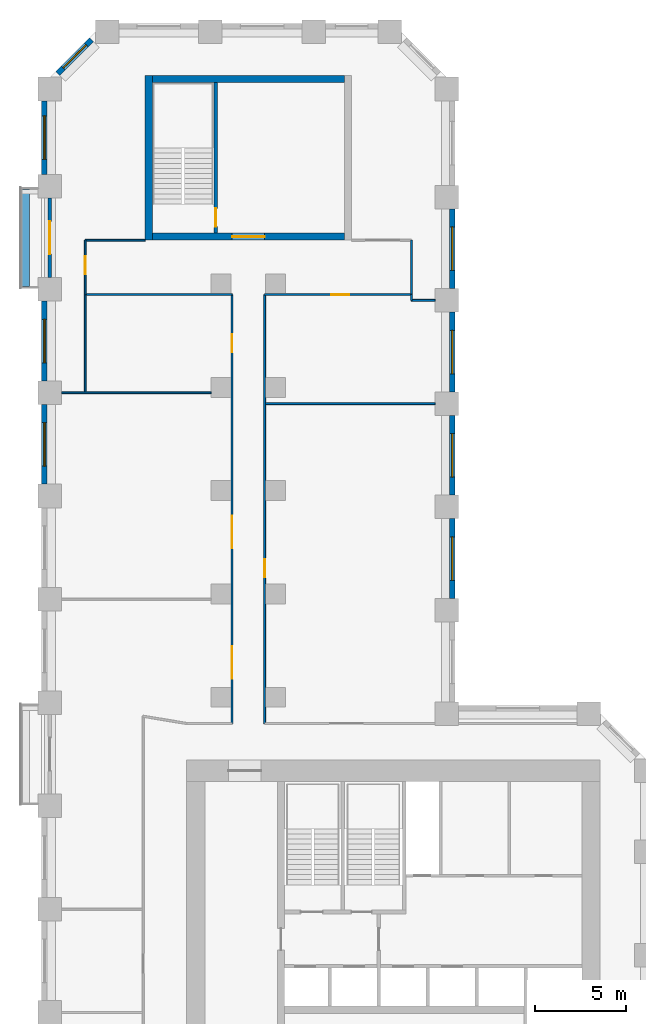
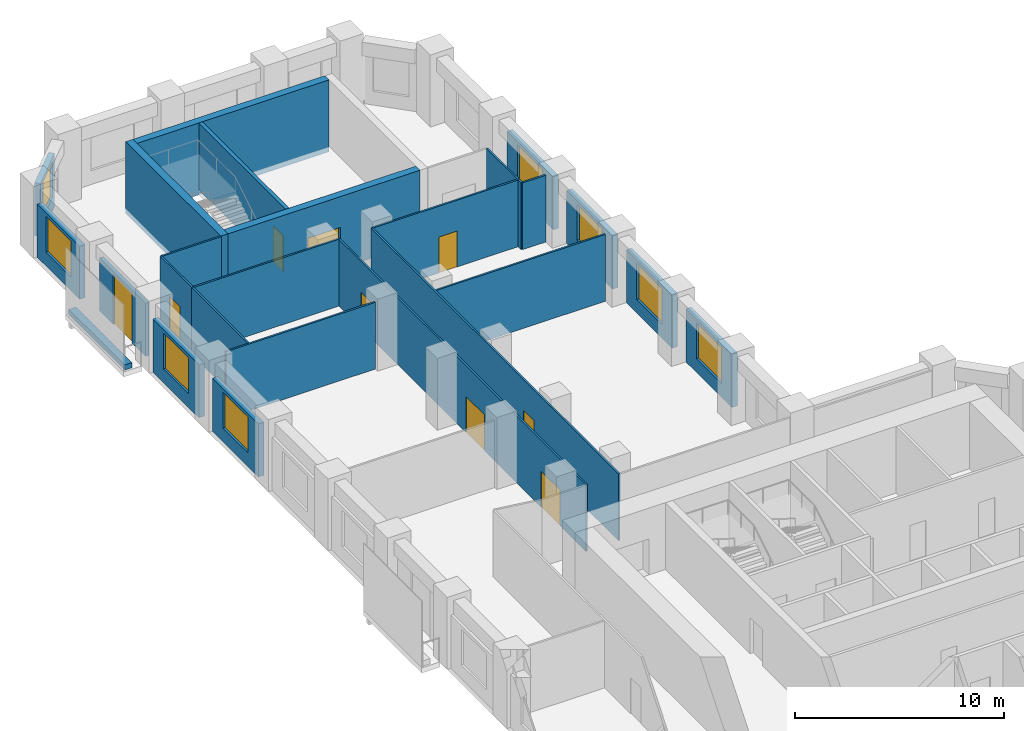
# One storey, part 8 of 10: 26 walls, 9 doors, 8 windows, 17 openings.
"""IFC4 building model written with IfcOpenShell, lengths in metres."""

from ifc_helpers import new_model, si_unit, direction, frame, frame_2d, origin, place, context, subcontext, project, spatial, rectangle, extrude, material, layer, layer_set, type_object, element, fill, save


model = new_model("IFC4")

# Units and contexts
model_context = context("Model", 3, precision=1e-05, world=origin(), true_north=direction((0.0, 1.0)))
body_context = subcontext(model_context, "Body", "Model", "MODEL_VIEW")
ifc_project = project(units=[si_unit("LENGTHUNIT", "METRE"), si_unit("AREAUNIT", "SQUARE_METRE"), si_unit("VOLUMEUNIT", "CUBIC_METRE"), si_unit("PLANEANGLEUNIT", "RADIAN"), si_unit("MASSUNIT", "GRAM", prefix="KILO")], contexts=[model_context])

# Site, building, storey
site_placement = place(None, origin())
site = spatial("IfcSite", under=ifc_project, at=site_placement, CompositionType="ELEMENT")
building_placement = place(site_placement, origin())
building = spatial("IfcBuilding", under=site, at=building_placement, Name="Meshkara Civic Tower", CompositionType="ELEMENT")
storey_placement = place(building_placement, frame((0.0, 0.0, 126.60009765625)))
storey = spatial("IfcBuildingStorey", under=building, at=storey_placement, Name="L28", CompositionType="ELEMENT", Elevation=126.60009765625)

# Wall
ifc_material_1 = material(Name="Corridor wall 100")
ifc_layer_1 = layer(ifc_material_1, 0.10009765625)
ifc_layer_set_1 = layer_set([ifc_layer_1], Name="Corridor wall 100")
wall_type_1 = type_object("IfcWallType", Name="Corridor wall 100", PredefinedType="PARTITIONING", material=ifc_layer_set_1)
wall_1_placement = place(storey_placement, frame((2.39990234375, 62.570068359375, 0.0), z_axis=(0.0, 0.0, 1.0), x_axis=(1.0, 0.0, 0.0)))
element("IfcWall", 1, at=wall_1_placement, inside=storey, type_object=wall_type_1, Name="L28-W001", PredefinedType="PARTITIONING", context=body_context, shape_type="SweptSolid", body=[
    extrude(rectangle(XDim=8.10009765625, YDim=0.10009765625, at=frame_2d((4.050048828125, 0.0))), origin(), (0.0, 0.0, 1.0), 3.89990234375),
])

# Wall, opening, door
wall_2_placement = place(storey_placement, frame((2.39990234375, 65.570068359375, 0.0), z_axis=(0.0, 0.0, 1.0), x_axis=(0.0, -1.0, 0.0)))
wall_2 = element("IfcWall", 2, at=wall_2_placement, inside=storey, type_object=wall_type_1, Name="L28-W002", PredefinedType="PARTITIONING", context=body_context, shape_type="SweptSolid", body=[
    extrude(rectangle(XDim=3.0, YDim=0.10009765625, at=frame_2d((1.5, 0.0))), origin(), (0.0, 0.0, 1.0), 3.89990234375),
])
opening_1_placement = place(wall_2_placement, frame((0.8798828125, 0.0, 0.0)))
opening_1 = element("IfcOpeningElement", 3, at=opening_1_placement, cuts=wall_2, Name="Opening L28-D024", PredefinedType="OPENING", context=body_context, shape_type="SweptSolid", body=[
    extrude(rectangle(XDim=1.0, YDim=2.10009765625, at=frame_2d((0.5, 1.050048828125))), frame((0.0, 0.06005859375, 0.0), z_axis=(0.0, -1.0, 0.0), x_axis=(1.0, 0.0, 0.0)), (0.0, 0.0, 1.0), 0.1201171875),
])
ifc_material_2 = material(Name="Door 1000 x 2100")
door_type_1 = type_object("IfcDoorType", Name="Door 1000 x 2100", OperationType="SINGLE_SWING_LEFT", PredefinedType="DOOR", material=ifc_material_2)
door_1_placement = place(opening_1_placement, origin())
door_1 = element("IfcDoor", 4, at=door_1_placement, inside=storey, type_object=door_type_1, Name="L28-D024", OperationType="SINGLE_SWING_RIGHT", OverallHeight=2.10009765625, OverallWidth=1.0, PredefinedType="DOOR", context=body_context, shape_type="SweptSolid", body=[
    extrude(rectangle(XDim=1.0, YDim=2.10009765625, at=frame_2d((0.5, 1.050048828125))), frame((0.0, 0.02490234375, 0.0), z_axis=(0.0, -1.0, 0.0), x_axis=(1.0, 0.0, 0.0)), (0.0, 0.0, 1.0), 0.050048828125),
])
fill(opening_1, door_1)

# Wall
wall_3_placement = place(storey_placement, frame((5.699951171875, 65.570068359375, 0.0), z_axis=(0.0, 0.0, 1.0), x_axis=(-1.0, 0.0, 0.0)))
element("IfcWall", 5, at=wall_3_placement, inside=storey, type_object=wall_type_1, Name="L28-W005", PredefinedType="PARTITIONING", context=body_context, shape_type="SweptSolid", body=[
    extrude(rectangle(XDim=3.300048828125, YDim=0.10009765625, at=frame_2d((1.64990234375, 0.0))), origin(), (0.0, 0.0, 1.0), 3.89990234375),
])

# Wall, openings, doors
wall_4_placement = place(storey_placement, frame((10.5, 62.570068359375, 0.0), z_axis=(0.0, 0.0, 1.0), x_axis=(0.0, -1.0, 0.0)))
wall_4 = element("IfcWall", 6, at=wall_4_placement, inside=storey, type_object=wall_type_1, Name="L28-W013", PredefinedType="PARTITIONING", context=body_context, shape_type="SweptSolid", body=[
    extrude(rectangle(XDim=23.670166015625, YDim=0.10009765625, at=frame_2d((11.8349609375, 0.0))), origin(), (0.0, 0.0, 1.0), 3.89990234375),
])
opening_2_placement = place(wall_4_placement, frame((19.39501953125, 0.0, 0.0)))
opening_2 = element("IfcOpeningElement", 7, at=opening_2_placement, cuts=wall_4, Name="Opening L28-D020", PredefinedType="OPENING", context=body_context, shape_type="SweptSolid", body=[
    extrude(rectangle(XDim=1.800048828125, YDim=2.10009765625, at=frame_2d((0.89990234375, 1.050048828125))), frame((0.0, 0.06005859375, 0.0), z_axis=(0.0, -1.0, 0.0), x_axis=(1.0, 0.0, 0.0)), (0.0, 0.0, 1.0), 0.1201171875),
])
opening_3_placement = place(wall_4_placement, frame((12.195068359375, 0.0, 0.0)))
opening_3 = element("IfcOpeningElement", 8, at=opening_3_placement, cuts=wall_4, Name="Opening L28-D022", PredefinedType="OPENING", context=body_context, shape_type="SweptSolid", body=[
    extrude(rectangle(XDim=1.800048828125, YDim=2.10009765625, at=frame_2d((0.89990234375, 1.050048828125))), frame((0.0, 0.06005859375, 0.0), z_axis=(0.0, -1.0, 0.0), x_axis=(1.0, 0.0, 0.0)), (0.0, 0.0, 1.0), 0.1201171875),
])
opening_4_placement = place(wall_4_placement, frame((2.179931640625, 0.0, 0.0)))
opening_4 = element("IfcOpeningElement", 9, at=opening_4_placement, cuts=wall_4, Name="Opening L28-D023", PredefinedType="OPENING", context=body_context, shape_type="SweptSolid", body=[
    extrude(rectangle(XDim=1.0, YDim=2.10009765625, at=frame_2d((0.5, 1.050048828125))), frame((0.0, 0.06005859375, 0.0), z_axis=(0.0, -1.0, 0.0), x_axis=(1.0, 0.0, 0.0)), (0.0, 0.0, 1.0), 0.1201171875),
])
door_2_placement = place(opening_4_placement, origin())
door_2 = element("IfcDoor", 10, at=door_2_placement, inside=storey, type_object=door_type_1, Name="L28-D023", OperationType="SINGLE_SWING_RIGHT", OverallHeight=2.10009765625, OverallWidth=1.0, PredefinedType="DOOR", context=body_context, shape_type="SweptSolid", body=[
    extrude(rectangle(XDim=1.0, YDim=2.10009765625, at=frame_2d((0.5, 1.050048828125))), frame((0.0, 0.02490234375, 0.0), z_axis=(0.0, -1.0, 0.0), x_axis=(1.0, 0.0, 0.0)), (0.0, 0.0, 1.0), 0.050048828125),
])
fill(opening_4, door_2)
ifc_material_3 = material(Name="Door pair 1800 x 2100")
door_type_2 = type_object("IfcDoorType", Name="Door pair 1800 x 2100", OperationType="SINGLE_SWING_LEFT", PredefinedType="DOOR", material=ifc_material_3)
door_3_placement = place(opening_2_placement, origin())
door_3 = element("IfcDoor", 11, at=door_3_placement, inside=storey, type_object=door_type_2, Name="L28-D020", OperationType="DOUBLE_DOOR_SINGLE_SWING", OverallHeight=2.10009765625, OverallWidth=1.800048828125, PredefinedType="DOOR", context=body_context, shape_type="SweptSolid", body=[
    extrude(rectangle(XDim=1.800048828125, YDim=2.10009765625, at=frame_2d((0.89990234375, 1.050048828125))), frame((0.0, 0.02490234375, 0.0), z_axis=(0.0, -1.0, 0.0), x_axis=(1.0, 0.0, 0.0)), (0.0, 0.0, 1.0), 0.050048828125),
])
fill(opening_2, door_3)
door_4_placement = place(opening_3_placement, origin())
door_4 = element("IfcDoor", 12, at=door_4_placement, inside=storey, type_object=door_type_2, Name="L28-D022", OperationType="DOUBLE_DOOR_SINGLE_SWING", OverallHeight=2.10009765625, OverallWidth=1.800048828125, PredefinedType="DOOR", context=body_context, shape_type="SweptSolid", body=[
    extrude(rectangle(XDim=1.800048828125, YDim=2.10009765625, at=frame_2d((0.89990234375, 1.050048828125))), frame((0.0, 0.02490234375, 0.0), z_axis=(0.0, -1.0, 0.0), x_axis=(1.0, 0.0, 0.0)), (0.0, 0.0, 1.0), 0.050048828125),
])
fill(opening_3, door_4)

# Wall, opening, door
wall_5_placement = place(storey_placement, frame((12.300048828125, 62.570068359375, 0.0), z_axis=(0.0, 0.0, 1.0), x_axis=(0.0, -1.0, 0.0)))
wall_5 = element("IfcWall", 13, at=wall_5_placement, inside=storey, type_object=wall_type_1, Name="L28-W014", PredefinedType="PARTITIONING", context=body_context, shape_type="SweptSolid", body=[
    extrude(rectangle(XDim=23.670166015625, YDim=0.10009765625, at=frame_2d((11.8349609375, 0.0))), origin(), (0.0, 0.0, 1.0), 3.89990234375),
])
opening_5_placement = place(wall_5_placement, frame((14.60009765625, 0.0, 0.0)))
opening_5 = element("IfcOpeningElement", 14, at=opening_5_placement, cuts=wall_5, Name="Opening L28-D021", PredefinedType="OPENING", context=body_context, shape_type="SweptSolid", body=[
    extrude(rectangle(XDim=1.0, YDim=2.10009765625, at=frame_2d((0.5, 1.050048828125))), frame((0.0, 0.06005859375, 0.0), z_axis=(0.0, -1.0, 0.0), x_axis=(1.0, 0.0, 0.0)), (0.0, 0.0, 1.0), 0.1201171875),
])
door_5_placement = place(opening_5_placement, origin())
door_5 = element("IfcDoor", 15, at=door_5_placement, inside=storey, type_object=door_type_1, Name="L28-D021", OperationType="SINGLE_SWING_RIGHT", OverallHeight=2.10009765625, OverallWidth=1.0, PredefinedType="DOOR", context=body_context, shape_type="SweptSolid", body=[
    extrude(rectangle(XDim=1.0, YDim=2.10009765625, at=frame_2d((0.5, 1.050048828125))), frame((0.0, 0.02490234375, 0.0), z_axis=(0.0, -1.0, 0.0), x_axis=(1.0, 0.0, 0.0)), (0.0, 0.0, 1.0), 0.050048828125),
])
fill(opening_5, door_5)

wall_6_placement = place(storey_placement, frame((12.300048828125, 62.570068359375, 0.0), z_axis=(0.0, 0.0, 1.0), x_axis=(1.0, 0.0, 0.0)))
wall_6 = element("IfcWall", 16, at=wall_6_placement, inside=storey, type_object=wall_type_1, Name="L28-W015", PredefinedType="PARTITIONING", context=body_context, shape_type="SweptSolid", body=[
    extrude(rectangle(XDim=8.099853515625, YDim=0.10009765625, at=frame_2d((4.0498046875, 0.0))), origin(), (0.0, 0.0, 1.0), 3.89990234375),
])
opening_6_placement = place(wall_6_placement, frame((3.679931640625, 0.0, 0.0)))
opening_6 = element("IfcOpeningElement", 17, at=opening_6_placement, cuts=wall_6, Name="Opening L28-D025", PredefinedType="OPENING", context=body_context, shape_type="SweptSolid", body=[
    extrude(rectangle(XDim=1.0, YDim=2.10009765625, at=frame_2d((0.5, 1.050048828125))), frame((0.0, 0.06005859375, 0.0), z_axis=(0.0, -1.0, 0.0), x_axis=(1.0, 0.0, 0.0)), (0.0, 0.0, 1.0), 0.1201171875),
])
door_6_placement = place(opening_6_placement, origin())
door_6 = element("IfcDoor", 18, at=door_6_placement, inside=storey, type_object=door_type_1, Name="L28-D025", OperationType="SINGLE_SWING_LEFT", OverallHeight=2.10009765625, OverallWidth=1.0, PredefinedType="DOOR", context=body_context, shape_type="SweptSolid", body=[
    extrude(rectangle(XDim=1.0, YDim=2.10009765625, at=frame_2d((0.5, 1.050048828125))), frame((0.0, 0.02490234375, 0.0), z_axis=(0.0, -1.0, 0.0), x_axis=(1.0, 0.0, 0.0)), (0.0, 0.0, 1.0), 0.050048828125),
])
fill(opening_6, door_6)

# Wall
wall_7_placement = place(storey_placement, frame((20.39990234375, 62.570068359375, 0.0), z_axis=(0.0, 0.0, 1.0), x_axis=(0.0, 1.0, 0.0)))
element("IfcWall", 19, at=wall_7_placement, inside=storey, type_object=wall_type_1, Name="L28-W017", PredefinedType="PARTITIONING", context=body_context, shape_type="SweptSolid", body=[
    extrude(rectangle(XDim=3.0, YDim=0.10009765625, at=frame_2d((1.5, 0.0))), origin(), (0.0, 0.0, 1.0), 3.89990234375),
])

# Wall, opening, window
ifc_material_4 = material(Name="Insulated infill panel with bronze anodised aluminium cladding", Category="aluminium")
ifc_layer_2 = layer(ifc_material_4, 0.300048828125)
ifc_layer_set_2 = layer_set([ifc_layer_2], Name="EXTERNAL INFILL WALL 300")
wall_type_2 = type_object("IfcWallType", Name="EXTERNAL INFILL WALL 300", PredefinedType="SOLIDWALL", material=ifc_layer_set_2)
wall_8_placement = place(storey_placement, frame((22.64990234375, 45.800048828125, 0.0), z_axis=(0.0, 0.0, 1.0), x_axis=(0.0, 1.0, 0.0)))
wall_8 = element("IfcWall", 20, at=wall_8_placement, inside=storey, type_object=wall_type_2, Name="External wall", PredefinedType="SOLIDWALL", context=body_context, shape_type="SweptSolid", body=[
    extrude(rectangle(XDim=4.39990234375, YDim=0.300048828125, at=frame_2d((2.199951171875, 0.0))), origin(), (0.0, 0.0, 1.0), 3.099853515625),
])
opening_7_placement = place(wall_8_placement, frame((1.0, 0.0, 0.800048828125)))
opening_7 = element("IfcOpeningElement", 21, at=opening_7_placement, cuts=wall_8, Name="Opening W7", PredefinedType="OPENING", context=body_context, shape_type="SweptSolid", body=[
    extrude(rectangle(XDim=2.39990234375, YDim=2.10009765625, at=frame_2d((1.199951171875, 1.050048828125))), frame((0.0, 0.159912109375, 0.0), z_axis=(0.0, -1.0, 0.0), x_axis=(1.0, 0.0, 0.0)), (0.0, 0.0, 1.0), 0.320068359375),
])
ifc_material_5 = material(Name="Tinted double glazing", Category="glass")
window_type_1 = type_object("IfcWindowType", Name="WINDOW 2400x2100", PartitioningType="DOUBLE_PANEL_VERTICAL", PredefinedType="WINDOW", material=ifc_material_5)
window_1_placement = place(opening_7_placement, origin())
window_1 = element("IfcWindow", 22, at=window_1_placement, inside=storey, type_object=window_type_1, Name="Window", OverallHeight=2.10009765625, OverallWidth=2.39990234375, PartitioningType="DOUBLE_PANEL_VERTICAL", PredefinedType="WINDOW", context=body_context, shape_type="SweptSolid", body=[
    extrude(rectangle(XDim=2.39990234375, YDim=2.10009765625, at=frame_2d((1.199951171875, 1.050048828125))), frame((0.0, 0.030029296875, 0.0), z_axis=(0.0, -1.0, 0.0), x_axis=(1.0, 0.0, 0.0)), (0.0, 0.0, 1.0), 0.06005859375),
])
fill(opening_7, window_1)

wall_9_placement = place(storey_placement, frame((22.64990234375, 51.5, 0.0), z_axis=(0.0, 0.0, 1.0), x_axis=(0.0, 1.0, 0.0)))
wall_9 = element("IfcWall", 23, at=wall_9_placement, inside=storey, type_object=wall_type_2, Name="External wall", PredefinedType="SOLIDWALL", context=body_context, shape_type="SweptSolid", body=[
    extrude(rectangle(XDim=4.39990234375, YDim=0.300048828125, at=frame_2d((2.199951171875, 0.0))), origin(), (0.0, 0.0, 1.0), 3.099853515625),
])
opening_8_placement = place(wall_9_placement, frame((1.0, 0.0, 0.800048828125)))
opening_8 = element("IfcOpeningElement", 24, at=opening_8_placement, cuts=wall_9, Name="Opening W7", PredefinedType="OPENING", context=body_context, shape_type="SweptSolid", body=[
    extrude(rectangle(XDim=2.39990234375, YDim=2.10009765625, at=frame_2d((1.199951171875, 1.050048828125))), frame((0.0, 0.159912109375, 0.0), z_axis=(0.0, -1.0, 0.0), x_axis=(1.0, 0.0, 0.0)), (0.0, 0.0, 1.0), 0.320068359375),
])
window_2_placement = place(opening_8_placement, origin())
window_2 = element("IfcWindow", 25, at=window_2_placement, inside=storey, type_object=window_type_1, Name="Window", OverallHeight=2.10009765625, OverallWidth=2.39990234375, PartitioningType="DOUBLE_PANEL_VERTICAL", PredefinedType="WINDOW", context=body_context, shape_type="SweptSolid", body=[
    extrude(rectangle(XDim=2.39990234375, YDim=2.10009765625, at=frame_2d((1.199951171875, 1.050048828125))), frame((0.0, 0.030029296875, 0.0), z_axis=(0.0, -1.0, 0.0), x_axis=(1.0, 0.0, 0.0)), (0.0, 0.0, 1.0), 0.06005859375),
])
fill(opening_8, window_2)

wall_10_placement = place(storey_placement, frame((22.64990234375, 57.199951171875, 0.0), z_axis=(0.0, 0.0, 1.0), x_axis=(0.0, 1.0, 0.0)))
wall_10 = element("IfcWall", 26, at=wall_10_placement, inside=storey, type_object=wall_type_2, Name="External wall", PredefinedType="SOLIDWALL", context=body_context, shape_type="SweptSolid", body=[
    extrude(rectangle(XDim=4.400146484375, YDim=0.300048828125, at=frame_2d((2.2001953125, 0.0))), origin(), (0.0, 0.0, 1.0), 3.099853515625),
])
opening_9_placement = place(wall_10_placement, frame((1.0, 0.0, 0.800048828125)))
opening_9 = element("IfcOpeningElement", 27, at=opening_9_placement, cuts=wall_10, Name="Opening W7", PredefinedType="OPENING", context=body_context, shape_type="SweptSolid", body=[
    extrude(rectangle(XDim=2.39990234375, YDim=2.10009765625, at=frame_2d((1.199951171875, 1.050048828125))), frame((0.0, 0.159912109375, 0.0), z_axis=(0.0, -1.0, 0.0), x_axis=(1.0, 0.0, 0.0)), (0.0, 0.0, 1.0), 0.320068359375),
])
window_3_placement = place(opening_9_placement, origin())
window_3 = element("IfcWindow", 28, at=window_3_placement, inside=storey, type_object=window_type_1, Name="Window", OverallHeight=2.10009765625, OverallWidth=2.39990234375, PartitioningType="DOUBLE_PANEL_VERTICAL", PredefinedType="WINDOW", context=body_context, shape_type="SweptSolid", body=[
    extrude(rectangle(XDim=2.39990234375, YDim=2.10009765625, at=frame_2d((1.199951171875, 1.050048828125))), frame((0.0, 0.030029296875, 0.0), z_axis=(0.0, -1.0, 0.0), x_axis=(1.0, 0.0, 0.0)), (0.0, 0.0, 1.0), 0.06005859375),
])
fill(opening_9, window_3)

wall_11_placement = place(storey_placement, frame((22.64990234375, 62.89990234375, 0.0), z_axis=(0.0, 0.0, 1.0), x_axis=(0.0, 1.0, 0.0)))
wall_11 = element("IfcWall", 29, at=wall_11_placement, inside=storey, type_object=wall_type_2, Name="External wall", PredefinedType="SOLIDWALL", context=body_context, shape_type="SweptSolid", body=[
    extrude(rectangle(XDim=4.400146484375, YDim=0.300048828125, at=frame_2d((2.2001953125, 0.0))), origin(), (0.0, 0.0, 1.0), 3.099853515625),
])
opening_10_placement = place(wall_11_placement, frame((1.0, 0.0, 0.800048828125)))
opening_10 = element("IfcOpeningElement", 30, at=opening_10_placement, cuts=wall_11, Name="Opening W7", PredefinedType="OPENING", context=body_context, shape_type="SweptSolid", body=[
    extrude(rectangle(XDim=2.39990234375, YDim=2.10009765625, at=frame_2d((1.199951171875, 1.050048828125))), frame((0.0, 0.159912109375, 0.0), z_axis=(0.0, -1.0, 0.0), x_axis=(1.0, 0.0, 0.0)), (0.0, 0.0, 1.0), 0.320068359375),
])
window_4_placement = place(opening_10_placement, origin())
window_4 = element("IfcWindow", 31, at=window_4_placement, inside=storey, type_object=window_type_1, Name="Window", OverallHeight=2.10009765625, OverallWidth=2.39990234375, PartitioningType="DOUBLE_PANEL_VERTICAL", PredefinedType="WINDOW", context=body_context, shape_type="SweptSolid", body=[
    extrude(rectangle(XDim=2.39990234375, YDim=2.10009765625, at=frame_2d((1.199951171875, 1.050048828125))), frame((0.0, 0.030029296875, 0.0), z_axis=(0.0, -1.0, 0.0), x_axis=(1.0, 0.0, 0.0)), (0.0, 0.0, 1.0), 0.06005859375),
])
fill(opening_10, window_4)

wall_12_placement = place(storey_placement, frame((2.743896484375, 76.632080078125, 0.0), z_axis=(0.0, 0.0, 1.0), x_axis=(-0.707060274772, -0.707153284542, 0.0)))
wall_12 = element("IfcWall", 32, at=wall_12_placement, inside=storey, type_object=wall_type_2, Name="External wall", PredefinedType="SOLIDWALL", context=body_context, shape_type="SweptSolid", body=[
    extrude(rectangle(XDim=2.625, YDim=0.300048828125, at=frame_2d((1.3125, 0.0))), origin(), (0.0, 0.0, 1.0), 3.099853515625),
])
opening_11_placement = place(wall_12_placement, frame((0.412109375, 0.0, 0.800048828125)))
opening_11 = element("IfcOpeningElement", 33, at=opening_11_placement, cuts=wall_12, Name="Opening W9", PredefinedType="OPENING", context=body_context, shape_type="SweptSolid", body=[
    extrude(rectangle(XDim=1.800048828125, YDim=2.10009765625, at=frame_2d((0.89990234375, 1.050048828125))), frame((0.0, 0.159912109375, 0.0), z_axis=(0.0, -1.0, 0.0), x_axis=(1.0, 0.0, 0.0)), (0.0, 0.0, 1.0), 0.320068359375),
])
ifc_material_6 = material(Name="Tinted double glazing", Category="glass")
window_type_2 = type_object("IfcWindowType", Name="WINDOW 1800x2100", PartitioningType="DOUBLE_PANEL_VERTICAL", PredefinedType="WINDOW", material=ifc_material_6)
window_5_placement = place(opening_11_placement, origin())
window_5 = element("IfcWindow", 34, at=window_5_placement, inside=storey, type_object=window_type_2, Name="Window", OverallHeight=2.10009765625, OverallWidth=1.800048828125, PartitioningType="DOUBLE_PANEL_VERTICAL", PredefinedType="WINDOW", context=body_context, shape_type="SweptSolid", body=[
    extrude(rectangle(XDim=1.800048828125, YDim=2.10009765625, at=frame_2d((0.89990234375, 1.050048828125))), frame((0.0, 0.030029296875, 0.0), z_axis=(0.0, -1.0, 0.0), x_axis=(1.0, 0.0, 0.0)), (0.0, 0.0, 1.0), 0.06005859375),
])
fill(opening_11, window_5)

wall_13_placement = place(storey_placement, frame((0.14990234375, 73.263916015625, 0.0), z_axis=(0.0, 0.0, 1.0), x_axis=(0.0, -1.0, 0.0)))
wall_13 = element("IfcWall", 35, at=wall_13_placement, inside=storey, type_object=wall_type_2, Name="External wall", PredefinedType="SOLIDWALL", context=body_context, shape_type="SweptSolid", body=[
    extrude(rectangle(XDim=4.058837890625, YDim=0.300048828125, at=frame_2d((2.029296875, 0.0))), origin(), (0.0, 0.0, 1.0), 3.099853515625),
])
opening_12_placement = place(wall_13_placement, frame((0.8291015625, 0.0, 0.800048828125)))
opening_12 = element("IfcOpeningElement", 36, at=opening_12_placement, cuts=wall_13, Name="Opening W7", PredefinedType="OPENING", context=body_context, shape_type="SweptSolid", body=[
    extrude(rectangle(XDim=2.39990234375, YDim=2.10009765625, at=frame_2d((1.199951171875, 1.050048828125))), frame((0.0, 0.159912109375, 0.0), z_axis=(0.0, -1.0, 0.0), x_axis=(1.0, 0.0, 0.0)), (0.0, 0.0, 1.0), 0.320068359375),
])
window_6_placement = place(opening_12_placement, origin())
window_6 = element("IfcWindow", 37, at=window_6_placement, inside=storey, type_object=window_type_1, Name="Window", OverallHeight=2.10009765625, OverallWidth=2.39990234375, PartitioningType="DOUBLE_PANEL_VERTICAL", PredefinedType="WINDOW", context=body_context, shape_type="SweptSolid", body=[
    extrude(rectangle(XDim=2.39990234375, YDim=2.10009765625, at=frame_2d((1.199951171875, 1.050048828125))), frame((0.0, 0.030029296875, 0.0), z_axis=(0.0, -1.0, 0.0), x_axis=(1.0, 0.0, 0.0)), (0.0, 0.0, 1.0), 0.06005859375),
])
fill(opening_12, window_6)

wall_14_placement = place(storey_placement, frame((0.14990234375, 62.205078125, 0.0), z_axis=(0.0, 0.0, 1.0), x_axis=(0.0, -1.0, 0.0)))
wall_14 = element("IfcWall", 38, at=wall_14_placement, inside=storey, type_object=wall_type_2, Name="External wall", PredefinedType="SOLIDWALL", context=body_context, shape_type="SweptSolid", body=[
    extrude(rectangle(XDim=4.400146484375, YDim=0.300048828125, at=frame_2d((2.2001953125, 0.0))), origin(), (0.0, 0.0, 1.0), 3.099853515625),
])
opening_13_placement = place(wall_14_placement, frame((1.0, 0.0, 0.800048828125)))
opening_13 = element("IfcOpeningElement", 39, at=opening_13_placement, cuts=wall_14, Name="Opening W7", PredefinedType="OPENING", context=body_context, shape_type="SweptSolid", body=[
    extrude(rectangle(XDim=2.39990234375, YDim=2.10009765625, at=frame_2d((1.199951171875, 1.050048828125))), frame((0.0, 0.159912109375, 0.0), z_axis=(0.0, -1.0, 0.0), x_axis=(1.0, 0.0, 0.0)), (0.0, 0.0, 1.0), 0.320068359375),
])
window_7_placement = place(opening_13_placement, origin())
window_7 = element("IfcWindow", 40, at=window_7_placement, inside=storey, type_object=window_type_1, Name="Window", OverallHeight=2.10009765625, OverallWidth=2.39990234375, PartitioningType="DOUBLE_PANEL_VERTICAL", PredefinedType="WINDOW", context=body_context, shape_type="SweptSolid", body=[
    extrude(rectangle(XDim=2.39990234375, YDim=2.10009765625, at=frame_2d((1.199951171875, 1.050048828125))), frame((0.0, 0.030029296875, 0.0), z_axis=(0.0, -1.0, 0.0), x_axis=(1.0, 0.0, 0.0)), (0.0, 0.0, 1.0), 0.06005859375),
])
fill(opening_13, window_7)

wall_15_placement = place(storey_placement, frame((0.14990234375, 56.5048828125, 0.0), z_axis=(0.0, 0.0, 1.0), x_axis=(0.0, -1.0, 0.0)))
wall_15 = element("IfcWall", 41, at=wall_15_placement, inside=storey, type_object=wall_type_2, Name="External wall", PredefinedType="SOLIDWALL", context=body_context, shape_type="SweptSolid", body=[
    extrude(rectangle(XDim=4.39990234375, YDim=0.300048828125, at=frame_2d((2.199951171875, 0.0))), origin(), (0.0, 0.0, 1.0), 3.099853515625),
])
opening_14_placement = place(wall_15_placement, frame((1.0, 0.0, 0.800048828125)))
opening_14 = element("IfcOpeningElement", 42, at=opening_14_placement, cuts=wall_15, Name="Opening W7", PredefinedType="OPENING", context=body_context, shape_type="SweptSolid", body=[
    extrude(rectangle(XDim=2.39990234375, YDim=2.10009765625, at=frame_2d((1.199951171875, 1.050048828125))), frame((0.0, 0.159912109375, 0.0), z_axis=(0.0, -1.0, 0.0), x_axis=(1.0, 0.0, 0.0)), (0.0, 0.0, 1.0), 0.320068359375),
])
window_8_placement = place(opening_14_placement, origin())
window_8 = element("IfcWindow", 43, at=window_8_placement, inside=storey, type_object=window_type_1, Name="Window", OverallHeight=2.10009765625, OverallWidth=2.39990234375, PartitioningType="DOUBLE_PANEL_VERTICAL", PredefinedType="WINDOW", context=body_context, shape_type="SweptSolid", body=[
    extrude(rectangle(XDim=2.39990234375, YDim=2.10009765625, at=frame_2d((1.199951171875, 1.050048828125))), frame((0.0, 0.030029296875, 0.0), z_axis=(0.0, -1.0, 0.0), x_axis=(1.0, 0.0, 0.0)), (0.0, 0.0, 1.0), 0.06005859375),
])
fill(opening_14, window_8)

# Wall
ifc_material_7 = material(Name="Concrete C70", Category="concrete")
ifc_layer_3 = layer(ifc_material_7, 0.39990234375)
ifc_layer_set_3 = layer_set([ifc_layer_3], Name="End core ring wall 400 C70")
wall_type_3 = type_object("IfcWallType", Name="End core ring wall 400 C70", PredefinedType="SHEAR", material=ifc_layer_set_3)
wall_16_placement = place(storey_placement, frame((5.89990234375, 65.570068359375, -0.300048828125), z_axis=(0.0, 0.0, 1.0), x_axis=(0.0, 1.0, 0.0)))
element("IfcWall", 44, at=wall_16_placement, inside=storey, type_object=wall_type_3, Name="L28-C026", PredefinedType="SHEAR", context=body_context, shape_type="SweptSolid", body=[
    extrude(rectangle(XDim=9.099853515625, YDim=0.39990234375, at=frame_2d((4.5498046875, 0.0))), origin(), (0.0, 0.0, 1.0), 4.199951171875),
])

# Wall, opening, door
wall_17_placement = place(storey_placement, frame((6.10009765625, 65.77001953125, -0.300048828125), z_axis=(0.0, 0.0, 1.0), x_axis=(1.0, 0.0, 0.0)))
wall_17 = element("IfcWall", 45, at=wall_17_placement, inside=storey, type_object=wall_type_3, Name="L28-C028", PredefinedType="SHEAR", context=body_context, shape_type="SweptSolid", body=[
    extrude(rectangle(XDim=10.599853515625, YDim=0.39990234375, at=frame_2d((5.2998046875, 0.0))), origin(), (0.0, 0.0, 1.0), 4.199951171875),
])
opening_15_placement = place(wall_17_placement, frame((4.39990234375, 0.0, 0.300048828125)))
opening_15 = element("IfcOpeningElement", 46, at=opening_15_placement, cuts=wall_17, Name="Opening L28-K102", PredefinedType="OPENING", context=body_context, shape_type="SweptSolid", body=[
    extrude(rectangle(XDim=1.800048828125, YDim=2.10009765625, at=frame_2d((0.89990234375, 1.050048828125))), frame((0.0, 0.2099609375, 0.0), z_axis=(0.0, -1.0, 0.0), x_axis=(1.0, 0.0, 0.0)), (0.0, 0.0, 1.0), 0.419921875),
])
ifc_material_8 = material(Name="Fire-rated door leaf in steel frame", Category="steel")
door_type_3 = type_object("IfcDoorType", Name="Core double door 1800 EI 60", OperationType="DOUBLE_DOOR_SINGLE_SWING", PredefinedType="DOOR", material=ifc_material_8)
door_7_placement = place(opening_15_placement, origin())
door_7 = element("IfcDoor", 47, at=door_7_placement, inside=storey, type_object=door_type_3, Name="L28-K102", OperationType="DOUBLE_DOOR_SINGLE_SWING", OverallHeight=2.10009765625, OverallWidth=1.800048828125, PredefinedType="DOOR", context=body_context, shape_type="SweptSolid", body=[
    extrude(rectangle(XDim=1.800048828125, YDim=2.10009765625, at=frame_2d((0.89990234375, 1.050048828125))), frame((0.0, 0.02490234375, 0.0), z_axis=(0.0, -1.0, 0.0), x_axis=(1.0, 0.0, 0.0)), (0.0, 0.0, 1.0), 0.050048828125),
])
fill(opening_15, door_7)

# Wall
wall_18_placement = place(storey_placement, frame((6.10009765625, 74.469970703125, -0.300048828125), z_axis=(0.0, 0.0, 1.0), x_axis=(1.0, 0.0, 0.0)))
element("IfcWall", 48, at=wall_18_placement, inside=storey, type_object=wall_type_3, Name="L28-C029", PredefinedType="SHEAR", context=body_context, shape_type="SweptSolid", body=[
    extrude(rectangle(XDim=10.599853515625, YDim=0.39990234375, at=frame_2d((5.2998046875, 0.0))), origin(), (0.0, 0.0, 1.0), 4.199951171875),
])

# Wall, opening, door
ifc_material_9 = material(Name="Insulated infill panel with bronze anodised aluminium cladding", Category="aluminium")
ifc_layer_4 = layer(ifc_material_9, 0.199951171875)
ifc_layer_set_4 = layer_set([ifc_layer_4], Name="LOGGIA BACK WALL 200")
wall_type_4 = type_object("IfcWallType", Name="LOGGIA BACK WALL 200", PredefinedType="SOLIDWALL", material=ifc_layer_set_4)
wall_19_placement = place(storey_placement, frame((0.449951171875, 67.905029296875, 0.0), z_axis=(0.0, 0.0, 1.0), x_axis=(0.0, -1.0, 0.0)))
wall_19 = element("IfcWall", 49, at=wall_19_placement, inside=storey, type_object=wall_type_4, Name="Loggia wall", PredefinedType="SOLIDWALL", context=body_context, shape_type="SweptSolid", body=[
    extrude(rectangle(XDim=4.400146484375, YDim=0.199951171875, at=frame_2d((2.2001953125, 0.0))), origin(), (0.0, 0.0, 1.0), 3.099853515625),
])
opening_16_placement = place(wall_19_placement, frame((1.300048828125, 0.0, 0.0)))
opening_16 = element("IfcOpeningElement", 50, at=opening_16_placement, cuts=wall_19, Name="Opening L28-L001", PredefinedType="OPENING", context=body_context, shape_type="SweptSolid", body=[
    extrude(rectangle(XDim=1.800048828125, YDim=2.89990234375, at=frame_2d((0.89990234375, 1.449951171875))), frame((0.0, 0.10986328125, 0.0), z_axis=(0.0, -1.0, 0.0), x_axis=(1.0, 0.0, 0.0)), (0.0, 0.0, 1.0), 0.219970703125),
])
ifc_material_10 = material(Name="Tinted double glazing", Category="glass")
door_type_4 = type_object("IfcDoorType", Name="LOGGIA DOOR 1800x2900", OperationType="DOUBLE_DOOR_SINGLE_SWING", PredefinedType="DOOR", material=ifc_material_10)
door_8_placement = place(opening_16_placement, origin())
door_8 = element("IfcDoor", 51, at=door_8_placement, inside=storey, type_object=door_type_4, Name="L28-L001", OperationType="DOUBLE_DOOR_SINGLE_SWING", OverallHeight=2.89990234375, OverallWidth=1.800048828125, PredefinedType="DOOR", context=body_context, shape_type="SweptSolid", body=[
    extrude(rectangle(XDim=1.800048828125, YDim=2.89990234375, at=frame_2d((0.89990234375, 1.449951171875))), frame((0.0, 0.02490234375, 0.0), z_axis=(0.0, -1.0, 0.0), x_axis=(1.0, 0.0, 0.0)), (0.0, 0.0, 1.0), 0.050048828125),
])
fill(opening_16, door_8)

# Walls
ifc_material_11 = material(Name="Concrete C40", Category="concrete")
ifc_layer_5 = layer(ifc_material_11, 0.39990234375)
ifc_layer_set_5 = layer_set([ifc_layer_5], Name="PLANTER TRAY")
wall_type_5 = type_object("IfcWallType", Name="PLANTER TRAY", PredefinedType="SOLIDWALL", material=ifc_layer_set_5)
wall_20_placement = place(storey_placement, frame((-0.8798828125, 68.385009765625, 0.0), z_axis=(0.0, 0.0, 1.0), x_axis=(0.0, -1.0, 0.0)))
element("IfcWall", 52, at=wall_20_placement, inside=storey, type_object=wall_type_5, Name="Planter", PredefinedType="SOLIDWALL", context=body_context, shape_type="SweptSolid", body=[
    extrude(rectangle(XDim=5.360107421875, YDim=0.39990234375, at=frame_2d((2.68017578125, 0.0))), origin(), (0.0, 0.0, 1.0), 0.2998046875),
])
ifc_material_12 = material(Name="Partition 100")
ifc_layer_6 = layer(ifc_material_12, 0.10009765625)
ifc_layer_set_6 = layer_set([ifc_layer_6], Name="Partition 100")
wall_type_6 = type_object("IfcWallType", Name="Partition 100", PredefinedType="PARTITIONING", material=ifc_layer_set_6)
wall_21_placement = place(storey_placement, frame((1.10009765625, 57.155029296875, 0.0), z_axis=(0.0, 0.0, 1.0), x_axis=(1.0, 0.0, 0.0)))
element("IfcWall", 53, at=wall_21_placement, inside=storey, type_object=wall_type_6, Name="L28-W031", PredefinedType="PARTITIONING", context=body_context, shape_type="SweptSolid", body=[
    extrude(rectangle(XDim=8.25, YDim=0.10009765625, at=frame_2d((4.125, 0.0))), origin(), (0.0, 0.0, 1.0), 3.89990234375),
])
wall_22_placement = place(storey_placement, frame((2.39990234375, 57.205078125, 0.0), z_axis=(0.0, 0.0, 1.0), x_axis=(0.0, 1.0, 0.0)))
element("IfcWall", 54, at=wall_22_placement, inside=storey, type_object=wall_type_6, Name="L28-W032", PredefinedType="PARTITIONING", context=body_context, shape_type="SweptSolid", body=[
    extrude(rectangle(XDim=5.368896484375, YDim=0.10009765625, at=frame_2d((2.6845703125, 0.0))), origin(), (0.0, 0.0, 1.0), 3.89990234375),
])
wall_23_placement = place(storey_placement, frame((20.39990234375, 62.25, 0.0), z_axis=(0.0, 0.0, 1.0), x_axis=(0.0, 1.0, 0.0)))
element("IfcWall", 55, at=wall_23_placement, inside=storey, type_object=wall_type_6, Name="L28-W040", PredefinedType="PARTITIONING", context=body_context, shape_type="SweptSolid", body=[
    extrude(rectangle(XDim=0.323974609375, YDim=0.10009765625, at=frame_2d((0.162109375, 0.0))), origin(), (0.0, 0.0, 1.0), 3.89990234375),
])
wall_24_placement = place(storey_placement, frame((21.699951171875, 56.550048828125, 0.0), z_axis=(0.0, 0.0, 1.0), x_axis=(-1.0, 0.0, 0.0)))
element("IfcWall", 56, at=wall_24_placement, inside=storey, type_object=wall_type_6, Name="L28-W041", PredefinedType="PARTITIONING", context=body_context, shape_type="SweptSolid", body=[
    extrude(rectangle(XDim=9.349853515625, YDim=0.10009765625, at=frame_2d((4.6748046875, 0.0))), origin(), (0.0, 0.0, 1.0), 3.89990234375),
])
wall_25_placement = place(storey_placement, frame((21.699951171875, 62.25, 0.0), z_axis=(0.0, 0.0, 1.0), x_axis=(-1.0, 0.0, 0.0)))
element("IfcWall", 57, at=wall_25_placement, inside=storey, type_object=wall_type_6, Name="L28-W042", PredefinedType="PARTITIONING", context=body_context, shape_type="SweptSolid", body=[
    extrude(rectangle(XDim=1.300048828125, YDim=0.10009765625, at=frame_2d((0.64990234375, 0.0))), origin(), (0.0, 0.0, 1.0), 3.89990234375),
])

# Wall, opening, door
ifc_material_13 = material(Name="Concrete C40/50", Category="concrete")
ifc_layer_7 = layer(ifc_material_13, 0.199951171875)
ifc_layer_set_7 = layer_set([ifc_layer_7], Name="Stair enclosure wall 200 C40/50")
wall_type_7 = type_object("IfcWallType", Name="Stair enclosure wall 200 C40/50", PredefinedType="SOLIDWALL", material=ifc_layer_set_7)
wall_26_placement = place(storey_placement, frame((9.60009765625, 65.969970703125, 0.0), z_axis=(0.0, 0.0, 1.0), x_axis=(0.0, 1.0, 0.0)))
wall_26 = element("IfcWall", 58, at=wall_26_placement, inside=storey, type_object=wall_type_7, Name="L28-C030", PredefinedType="SOLIDWALL", context=body_context, shape_type="SweptSolid", body=[
    extrude(rectangle(XDim=8.300048828125, YDim=0.199951171875, at=frame_2d((4.14990234375, 0.0))), origin(), (0.0, 0.0, 1.0), 3.89990234375),
])
opening_17_placement = place(wall_26_placement, frame((0.35009765625, 0.0, 0.0)))
opening_17 = element("IfcOpeningElement", 59, at=opening_17_placement, cuts=wall_26, Name="Opening L28-K101", PredefinedType="OPENING", context=body_context, shape_type="SweptSolid", body=[
    extrude(rectangle(XDim=1.0, YDim=2.10009765625, at=frame_2d((0.5, 1.050048828125))), frame((0.0, 0.10986328125, 0.0), z_axis=(0.0, -1.0, 0.0), x_axis=(1.0, 0.0, 0.0)), (0.0, 0.0, 1.0), 0.219970703125),
])
ifc_material_14 = material(Name="Fire-rated door leaf in steel frame", Category="steel")
door_type_5 = type_object("IfcDoorType", Name="Stair door 1000 EI 120", OperationType="SINGLE_SWING_LEFT", PredefinedType="DOOR", material=ifc_material_14)
door_9_placement = place(opening_17_placement, origin())
door_9 = element("IfcDoor", 60, at=door_9_placement, inside=storey, type_object=door_type_5, Name="L28-K101", OperationType="SINGLE_SWING_RIGHT", OverallHeight=2.10009765625, OverallWidth=1.0, PredefinedType="DOOR", context=body_context, shape_type="SweptSolid", body=[
    extrude(rectangle(XDim=1.0, YDim=2.10009765625, at=frame_2d((0.5, 1.050048828125))), frame((0.0, 0.02490234375, 0.0), z_axis=(0.0, -1.0, 0.0), x_axis=(1.0, 0.0, 0.0)), (0.0, 0.0, 1.0), 0.050048828125),
])
fill(opening_17, door_9)

save(model, "model.ifc")
